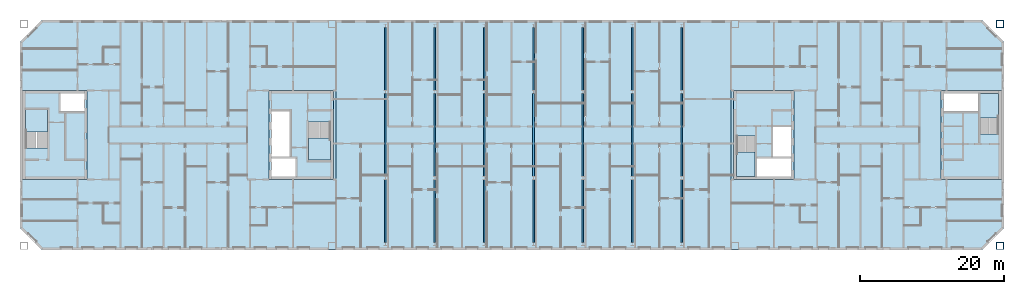
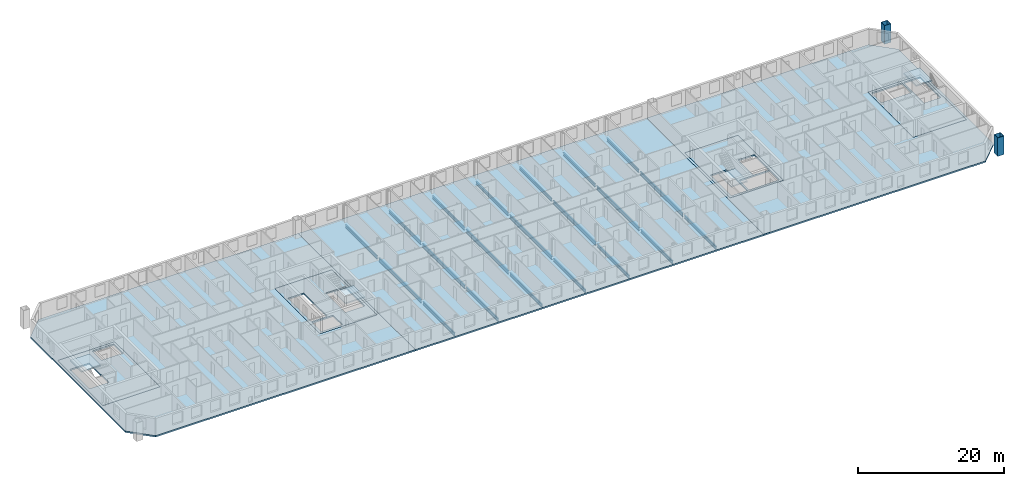
# One storey, part 3 of 19: 21 beams, 11 slabs, 2 columns, 4 elements without a shape of their own.
"""IFC4 building model written with IfcOpenShell, lengths in metres."""

from ifc_helpers import new_model, si_unit, direction, frame, origin, origin_2d, place, context, subcontext, project, spatial, polyline, hollow_rectangle, i_section, outline, extrude, material, layer, layer_set, material_profile, profile_set, type_object, element, aggregate, save


model = new_model("IFC4")

# Units and contexts
model_context = context("Model", 3, precision=1e-05, world=origin(), true_north=direction((0.0, 1.0)))
body_context = subcontext(model_context, "Body", "Model", "MODEL_VIEW")
ifc_project = project(units=[si_unit("LENGTHUNIT", "METRE"), si_unit("AREAUNIT", "SQUARE_METRE"), si_unit("VOLUMEUNIT", "CUBIC_METRE"), si_unit("PLANEANGLEUNIT", "RADIAN"), si_unit("MASSUNIT", "GRAM", prefix="KILO")], contexts=[model_context])

# Site, building, storey
site_placement = place(None, origin())
site = spatial("IfcSite", under=ifc_project, at=site_placement, CompositionType="ELEMENT")
building_placement = place(site_placement, origin())
building = spatial("IfcBuilding", under=site, at=building_placement, Name="Tuart Gate Housing", CompositionType="ELEMENT")
storey_placement = place(building_placement, frame((0.0, 0.0, 227.60009765625)))
storey = spatial("IfcBuildingStorey", under=building, at=storey_placement, Name="L64", CompositionType="ELEMENT", Elevation=227.60009765625)

# Columns
ifc_material_1 = material(Name="Steel Grade 350", Category="steel")
ifc_material_profile_1 = material_profile(ifc_material_1, hollow_rectangle(XDim=1.0, YDim=1.0, WallThickness=0.054931640625, at=origin_2d()), Name="BOX 1000x1000x55")
ifc_profile_set_1 = profile_set([ifc_material_profile_1], Name="Steel Grade 350")
column_type = type_object("IfcColumnType", Name="Mega column BOX 1000x1000x55", PredefinedType="COLUMN", material=ifc_profile_set_1)
for number, where, z_axis, x_axis, name in (
    (1, (168.449951171875, 54.550048828125, 0.0), (0.0, 0.0, 1.0), (1.0, 0.0, 0.0), "Mega column B south-east L64"),
    (2, (168.449951171875, 85.449951171875, 0.0), (0.0, 0.0, 1.0), (1.0, 0.0, 0.0), "Mega column B north-east L64"),
):
    element("IfcColumn", number, at=place(storey_placement, frame(where, z_axis=z_axis, x_axis=x_axis)), inside=storey, type_object=column_type, Name=name, PredefinedType="COLUMN", context=body_context, shape_type="SweptSolid", body=[
        extrude(hollow_rectangle(XDim=1.0, YDim=1.0, WallThickness=0.054931640625, at=origin_2d()), origin(), (0.0, 0.0, 1.0), 3.099853515625),
    ])

# Beams
ifc_material_2 = material(Name="Steel Grade 350", Category="steel")
ifc_material_profile_2 = material_profile(ifc_material_2, i_section(OverallWidth=0.208984375, OverallDepth=0.532958984375, WebThickness=0.01025390625, FlangeThickness=0.015625, at=origin_2d()), Name="530UB92.4")
ifc_profile_set_2 = profile_set([ifc_material_profile_2], Name="Steel Grade 350")
beam_type_1 = type_object("IfcBeamType", Name="Floor beam 530 UB92.4", PredefinedType="BEAM", material=ifc_profile_set_2)
for number, where, z_axis, x_axis, name in (
    (3, (82.875, 55.014892578125, -0.51611328125), (0.0, 1.0, 0.0), (-1.0, 0.0, 0.0), "Block floor beam L64 bay 1 position 1"),
    (4, (82.875, 76.215087890625, -0.51611328125), (0.0, 1.0, 0.0), (-1.0, 0.0, 0.0), "Block floor beam L64 bay 1 position 3"),
    (5, (89.75, 55.014892578125, -0.51611328125), (0.0, 1.0, 0.0), (-1.0, 0.0, 0.0), "Block floor beam L64 bay 2 position 1"),
    (6, (89.75, 76.215087890625, -0.51611328125), (0.0, 1.0, 0.0), (-1.0, 0.0, 0.0), "Block floor beam L64 bay 2 position 3"),
    (7, (96.625, 55.014892578125, -0.51611328125), (0.0, 1.0, 0.0), (-1.0, 0.0, 0.0), "Block floor beam L64 bay 3 position 1"),
    (8, (96.625, 76.215087890625, -0.51611328125), (0.0, 1.0, 0.0), (-1.0, 0.0, 0.0), "Block floor beam L64 bay 3 position 3"),
    (9, (103.5, 55.014892578125, -0.51611328125), (0.0, 1.0, 0.0), (-1.0, 0.0, 0.0), "Block floor beam L64 bay 4 position 1"),
    (10, (103.5, 76.215087890625, -0.51611328125), (0.0, 1.0, 0.0), (-1.0, 0.0, 0.0), "Block floor beam L64 bay 4 position 3"),
    (11, (110.375, 55.014892578125, -0.51611328125), (0.0, 1.0, 0.0), (-1.0, 0.0, 0.0), "Block floor beam L64 bay 5 position 1"),
    (12, (110.375, 76.215087890625, -0.51611328125), (0.0, 1.0, 0.0), (-1.0, 0.0, 0.0), "Block floor beam L64 bay 5 position 3"),
    (13, (117.25, 55.014892578125, -0.51611328125), (0.0, 1.0, 0.0), (-1.0, 0.0, 0.0), "Block floor beam L64 bay 6 position 1"),
    (14, (117.25, 76.215087890625, -0.51611328125), (0.0, 1.0, 0.0), (-1.0, 0.0, 0.0), "Block floor beam L64 bay 6 position 3"),
    (15, (124.125, 55.014892578125, -0.51611328125), (0.0, 1.0, 0.0), (-1.0, 0.0, 0.0), "Block floor beam L64 bay 7 position 1"),
    (16, (124.125, 76.215087890625, -0.51611328125), (0.0, 1.0, 0.0), (-1.0, 0.0, 0.0), "Block floor beam L64 bay 7 position 3"),
):
    element("IfcBeam", number, at=place(storey_placement, frame(where, z_axis=z_axis, x_axis=x_axis)), inside=storey, type_object=beam_type_1, Name=name, PredefinedType="BEAM", context=body_context, shape_type="SweptSolid", body=[
        extrude(i_section(OverallWidth=0.208984375, OverallDepth=0.532958984375, WebThickness=0.01025390625, FlangeThickness=0.015625, at=origin_2d()), origin(), (0.0, 0.0, 1.0), 8.77001953125),
    ])
ifc_material_3 = material(Name="Steel Grade 350", Category="steel")
ifc_material_profile_3 = material_profile(ifc_material_3, i_section(OverallWidth=0.22900390625, OverallDepth=0.612060546875, WebThickness=0.011962890625, FlangeThickness=0.01953125, at=origin_2d()), Name="610UB125")
ifc_profile_set_3 = profile_set([ifc_material_profile_3], Name="Steel Grade 350")
beam_type_2 = type_object("IfcBeamType", Name="Floor beam 610 UB125", PredefinedType="BEAM", material=ifc_profile_set_3)
for number, where, z_axis, x_axis, name in (
    (17, (82.875, 64.215087890625, -0.55615234375), (0.0, 1.0, 0.0), (-1.0, 0.0, 0.0), "Block floor beam L64 bay 1 position 2"),
    (18, (89.75, 64.215087890625, -0.55615234375), (0.0, 1.0, 0.0), (-1.0, 0.0, 0.0), "Block floor beam L64 bay 2 position 2"),
    (19, (96.625, 64.215087890625, -0.55615234375), (0.0, 1.0, 0.0), (-1.0, 0.0, 0.0), "Block floor beam L64 bay 3 position 2"),
    (20, (103.5, 64.215087890625, -0.55615234375), (0.0, 1.0, 0.0), (-1.0, 0.0, 0.0), "Block floor beam L64 bay 4 position 2"),
    (21, (110.375, 64.215087890625, -0.55615234375), (0.0, 1.0, 0.0), (-1.0, 0.0, 0.0), "Block floor beam L64 bay 5 position 2"),
    (22, (117.25, 64.215087890625, -0.55615234375), (0.0, 1.0, 0.0), (-1.0, 0.0, 0.0), "Block floor beam L64 bay 6 position 2"),
    (23, (124.125, 64.215087890625, -0.55615234375), (0.0, 1.0, 0.0), (-1.0, 0.0, 0.0), "Block floor beam L64 bay 7 position 2"),
):
    element("IfcBeam", number, at=place(storey_placement, frame(where, z_axis=z_axis, x_axis=x_axis)), inside=storey, type_object=beam_type_2, Name=name, PredefinedType="BEAM", context=body_context, shape_type="SweptSolid", body=[
        extrude(i_section(OverallWidth=0.22900390625, OverallDepth=0.612060546875, WebThickness=0.011962890625, FlangeThickness=0.01953125, at=origin_2d()), origin(), (0.0, 0.0, 1.0), 11.56982421875),
    ])

# Slabs
ifc_material_4 = material(Name="Concrete C40", Category="concrete")
ifc_layer_1 = layer(ifc_material_4, 0.25)
ifc_layer_set_1 = layer_set([ifc_layer_1], Name="Core floor slab 250")
slab_type_1 = type_object("IfcSlabType", Name="Core floor slab 250", PredefinedType="FLOOR", material=ifc_layer_set_1)
slab_1_placement = place(storey_placement, frame((0.0, 0.0, -0.25)))
element("IfcSlab", 24, at=slab_1_placement, inside=storey, type_object=slab_type_1, Name="Core floor AG", PredefinedType="FLOOR", context=body_context, shape_type="SweptSolid", body=[
    extrude(outline(polyline([(66.639892578125, 63.800048828125), (75.639892578125, 63.800048828125), (75.639892578125, 76.199951171875), (66.639892578125, 76.199951171875), (66.639892578125, 63.800048828125)]), holes=[polyline([(67.0400390625, 64.199951171875), (70.385009765625, 64.199951171875), (70.385009765625, 66.72509765625), (67.0400390625, 66.72509765625), (67.0400390625, 64.199951171875)]), polyline([(67.0400390625, 66.97509765625), (69.56494140625, 66.97509765625), (69.56494140625, 73.324951171875), (67.0400390625, 73.324951171875), (67.0400390625, 66.97509765625)]), polyline([(72.1650390625, 66.47509765625), (75.239990234375, 66.47509765625), (75.239990234375, 71.804931640625), (72.1650390625, 71.804931640625), (72.1650390625, 66.47509765625)])]), origin(), (0.0, 0.0, 1.0), 0.25),
])
slab_2_placement = place(storey_placement, frame((0.0, 0.0, -0.25)))
element("IfcSlab", 25, at=slab_2_placement, inside=storey, type_object=slab_type_1, Name="Core floor AK", PredefinedType="FLOOR", context=body_context, shape_type="SweptSolid", body=[
    extrude(outline(polyline([(32.360107421875, 63.800048828125), (41.360107421875, 63.800048828125), (41.360107421875, 76.199951171875), (32.360107421875, 76.199951171875), (32.360107421875, 63.800048828125)]), holes=[polyline([(40.9599609375, 75.800048828125), (37.614990234375, 75.800048828125), (37.614990234375, 73.27490234375), (40.9599609375, 73.27490234375), (40.9599609375, 75.800048828125)]), polyline([(35.8349609375, 73.52490234375), (32.760009765625, 73.52490234375), (32.760009765625, 68.195068359375), (35.8349609375, 68.195068359375), (35.8349609375, 73.52490234375)])]), origin(), (0.0, 0.0, 1.0), 0.25),
])
slab_3_placement = place(storey_placement, frame((0.0, 0.0, -0.25)))
element("IfcSlab", 26, at=slab_3_placement, inside=storey, type_object=slab_type_1, Name="Core floor BG", PredefinedType="FLOOR", context=body_context, shape_type="SweptSolid", body=[
    extrude(outline(polyline([(131.360107421875, 63.800048828125), (139.760009765625, 63.800048828125), (139.760009765625, 76.199951171875), (131.360107421875, 76.199951171875), (131.360107421875, 63.800048828125)]), holes=[polyline([(139.360107421875, 66.85009765625), (134.5849609375, 66.85009765625), (134.5849609375, 64.199951171875), (139.360107421875, 64.199951171875), (139.360107421875, 66.85009765625)]), polyline([(139.360107421875, 71.125), (136.8349609375, 71.125), (136.8349609375, 66.97509765625), (139.360107421875, 66.97509765625), (139.360107421875, 71.125)]), polyline([(134.3349609375, 69.85498046875), (131.760009765625, 69.85498046875), (131.760009765625, 64.199951171875), (134.3349609375, 64.199951171875), (134.3349609375, 69.85498046875)])]), origin(), (0.0, 0.0, 1.0), 0.25),
])
slab_4_placement = place(storey_placement, frame((0.0, 0.0, -0.25)))
element("IfcSlab", 27, at=slab_4_placement, inside=storey, type_object=slab_type_1, Name="Core floor BK", PredefinedType="FLOOR", context=body_context, shape_type="SweptSolid", body=[
    extrude(outline(polyline([(160.239990234375, 63.800048828125), (168.639892578125, 63.800048828125), (168.639892578125, 76.199951171875), (160.239990234375, 76.199951171875), (160.239990234375, 63.800048828125)]), holes=[polyline([(160.639892578125, 73.14990234375), (165.4150390625, 73.14990234375), (165.4150390625, 75.800048828125), (160.639892578125, 75.800048828125), (160.639892578125, 73.14990234375)]), polyline([(165.6650390625, 70.14501953125), (168.239990234375, 70.14501953125), (168.239990234375, 75.800048828125), (165.6650390625, 75.800048828125), (165.6650390625, 70.14501953125)])]), origin(), (0.0, 0.0, 1.0), 0.25),
])
ifc_material_5 = material(Name="Concrete C40", Category="concrete")
ifc_layer_2 = layer(ifc_material_5, 0.25)
ifc_layer_set_2 = layer_set([ifc_layer_2], Name="Flat plate 250")
slab_type_2 = type_object("IfcSlabType", Name="Flat plate 250", PredefinedType="FLOOR", material=ifc_layer_set_2)
slab_5_placement = place(storey_placement, frame((0.0, 0.0, -0.25)))
element("IfcSlab", 28, at=slab_5_placement, inside=storey, type_object=slab_type_2, Name="Floor slab A L64", PredefinedType="FLOOR", context=body_context, shape_type="SweptSolid", body=[
    extrude(outline(polyline([(35.0, 86.0), (32.0, 83.0), (32.0, 57.0), (35.0, 54.0), (76.0, 54.0), (76.0, 86.0), (35.0, 86.0)]), holes=[polyline([(66.639892578125, 76.199951171875), (75.639892578125, 76.199951171875), (75.639892578125, 63.800048828125), (66.639892578125, 63.800048828125), (66.639892578125, 76.199951171875)]), polyline([(41.360107421875, 76.199951171875), (41.360107421875, 63.800048828125), (32.360107421875, 63.800048828125), (32.360107421875, 76.199951171875), (41.360107421875, 76.199951171875)])]), origin(), (0.0, 0.0, 1.0), 0.25),
])
slab_6_placement = place(storey_placement, frame((0.0, 0.0, -0.25)))
element("IfcSlab", 29, at=slab_6_placement, inside=storey, type_object=slab_type_2, Name="Floor slab B L64", PredefinedType="FLOOR", context=body_context, shape_type="SweptSolid", body=[
    extrude(outline(polyline([(166.0, 86.0), (131.0, 86.0), (131.0, 54.0), (166.0, 54.0), (169.0, 57.0), (169.0, 83.0), (166.0, 86.0)]), holes=[polyline([(131.360107421875, 76.199951171875), (139.760009765625, 76.199951171875), (139.760009765625, 63.800048828125), (131.360107421875, 63.800048828125), (131.360107421875, 76.199951171875)]), polyline([(168.639892578125, 76.199951171875), (168.639892578125, 63.800048828125), (160.239990234375, 63.800048828125), (160.239990234375, 76.199951171875), (168.639892578125, 76.199951171875)])]), origin(), (0.0, 0.0, 1.0), 0.25),
])
slab_7_placement = place(storey_placement, frame((0.0, 0.0, -0.25)))
element("IfcSlab", 30, at=slab_7_placement, inside=storey, type_object=slab_type_2, Name="Link floor slab L64", PredefinedType="FLOOR", context=body_context, shape_type="SweptSolid", body=[
    extrude(outline(polyline([(76.0, 54.0), (131.0, 54.0), (131.0, 86.0), (76.0, 86.0), (76.0, 54.0)])), origin(), (0.0, 0.0, 1.0), 0.25),
])

# Stair, slab
ifc_material_6 = material(Name="Concrete C40", Category="concrete")
stair_type_1 = type_object("IfcStairType", Name="Core stair 1500", PredefinedType="HALF_TURN_STAIR", material=ifc_material_6)
stair_1_placement = place(storey_placement, origin())
stair_1 = element("IfcStair", 31, at=stair_1_placement, inside=storey, type_object=stair_type_1, Name="Stair SA1", PredefinedType="HALF_TURN_STAIR")
ifc_material_7 = material(Name="Concrete C40", Category="concrete")
ifc_layer_3 = layer(ifc_material_7, 0.199951171875)
ifc_layer_set_3 = layer_set([ifc_layer_3], Name="Stair landing 200")
slab_type_3 = type_object("IfcSlabType", Name="Stair landing 200", PredefinedType="LANDING", material=ifc_layer_set_3)
slab_8_placement = place(storey_placement, frame((0.0, 0.0, 1.349853515625)))
slab_8 = element("IfcSlab", 32, at=slab_8_placement, type_object=slab_type_3, Name="SA1 landing 1", PredefinedType="LANDING", context=body_context, shape_type="SweptSolid", body=[
    extrude(outline(polyline([(72.1650390625, 66.47509765625), (75.239990234375, 66.47509765625), (75.239990234375, 69.5849609375), (72.1650390625, 69.5849609375), (72.1650390625, 66.47509765625)])), origin(), (0.0, 0.0, 1.0), 0.199951171875),
])
aggregate(stair_1, [slab_8])

stair_2_placement = place(storey_placement, origin())
stair_2 = element("IfcStair", 33, at=stair_2_placement, inside=storey, type_object=stair_type_1, Name="Stair SA2", PredefinedType="HALF_TURN_STAIR")
slab_9_placement = place(storey_placement, frame((0.0, 0.0, 1.349853515625)))
slab_9 = element("IfcSlab", 34, at=slab_9_placement, type_object=slab_type_3, Name="SA2 landing 1", PredefinedType="LANDING", context=body_context, shape_type="SweptSolid", body=[
    extrude(outline(polyline([(35.8349609375, 73.52490234375), (32.760009765625, 73.52490234375), (32.760009765625, 70.4150390625), (35.8349609375, 70.4150390625), (35.8349609375, 73.52490234375)])), origin(), (0.0, 0.0, 1.0), 0.199951171875),
])
aggregate(stair_2, [slab_9])

ifc_material_8 = material(Name="Concrete C40", Category="concrete")
stair_type_2 = type_object("IfcStairType", Name="Core stair 1250", PredefinedType="HALF_TURN_STAIR", material=ifc_material_8)
stair_3_placement = place(storey_placement, origin())
stair_3 = element("IfcStair", 35, at=stair_3_placement, inside=storey, type_object=stair_type_2, Name="Stair SB1", PredefinedType="HALF_TURN_STAIR")
slab_10_placement = place(storey_placement, frame((0.0, 0.0, 1.349853515625)))
slab_10 = element("IfcSlab", 36, at=slab_10_placement, type_object=slab_type_3, Name="SB1 landing 1", PredefinedType="LANDING", context=body_context, shape_type="SweptSolid", body=[
    extrude(outline(polyline([(134.3349609375, 67.635009765625), (131.760009765625, 67.635009765625), (131.760009765625, 64.199951171875), (134.3349609375, 64.199951171875), (134.3349609375, 67.635009765625)])), origin(), (0.0, 0.0, 1.0), 0.199951171875),
])
aggregate(stair_3, [slab_10])

stair_4_placement = place(storey_placement, origin())
stair_4 = element("IfcStair", 37, at=stair_4_placement, inside=storey, type_object=stair_type_2, Name="Stair SB2", PredefinedType="HALF_TURN_STAIR")
slab_11_placement = place(storey_placement, frame((0.0, 0.0, 1.349853515625)))
slab_11 = element("IfcSlab", 38, at=slab_11_placement, type_object=slab_type_3, Name="SB2 landing 1", PredefinedType="LANDING", context=body_context, shape_type="SweptSolid", body=[
    extrude(outline(polyline([(165.6650390625, 72.364990234375), (168.239990234375, 72.364990234375), (168.239990234375, 75.800048828125), (165.6650390625, 75.800048828125), (165.6650390625, 72.364990234375)])), origin(), (0.0, 0.0, 1.0), 0.199951171875),
])
aggregate(stair_4, [slab_11])

save(model, "model.ifc")
